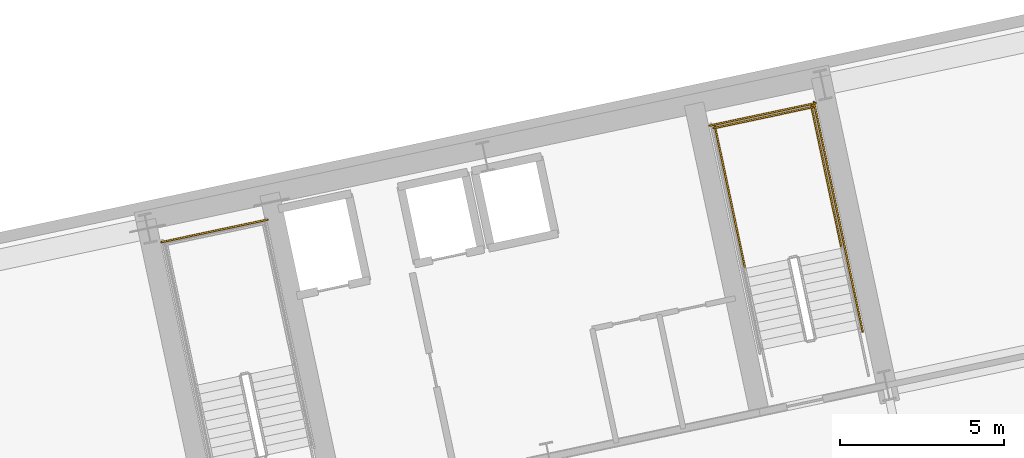
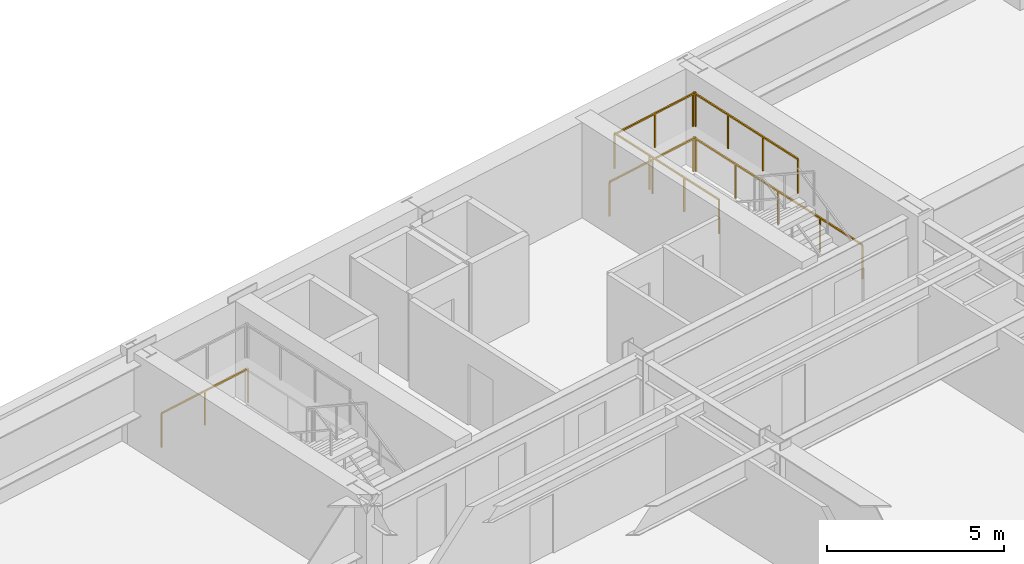
# One storey, part 18 of 18: 6 railings.
"""IFC4 building model written with IfcOpenShell, lengths in metres."""

from ifc_helpers import new_model, si_unit, direction, frame, origin, origin_2d, place, context, subcontext, project, spatial, rectangle, extrude, material, type_object, element, save


model = new_model("IFC4")

# Units and contexts
model_context = context("Model", 3, precision=1e-05, world=origin(), true_north=direction((0.0, 1.0)))
body_context = subcontext(model_context, "Body", "Model", "MODEL_VIEW")
ifc_project = project(units=[si_unit("LENGTHUNIT", "METRE"), si_unit("AREAUNIT", "SQUARE_METRE"), si_unit("VOLUMEUNIT", "CUBIC_METRE"), si_unit("PLANEANGLEUNIT", "RADIAN"), si_unit("MASSUNIT", "GRAM", prefix="KILO")], contexts=[model_context])

# Site, building, storey
site_placement = place(None, origin())
site = spatial("IfcSite", under=ifc_project, at=site_placement, CompositionType="ELEMENT")
building_placement = place(site_placement, origin())
building = spatial("IfcBuilding", under=site, at=building_placement, Name="Haevon Station Towers", CompositionType="ELEMENT")
storey_placement = place(building_placement, frame((0.0, 0.0, 66.89990234375)))
storey = spatial("IfcBuildingStorey", under=building, at=storey_placement, Name="L17", CompositionType="ELEMENT", Elevation=66.89990234375)

# Railings
ifc_material = material(Name="Steel S355", Category="steel")
railing_type = type_object("IfcRailingType", Name="GRD-STR1200", PredefinedType="GUARDRAIL", material=ifc_material)
railing_1_placement = place(storey_placement, frame((100.453125, 46.8515625, 0.0)))
element("IfcRailing", 1, at=railing_1_placement, inside=storey, type_object=railing_type, Name="L17 ST3 Stair Guard 12", PredefinedType="GUARDRAIL", context=body_context, shape_type="SweptSolid", body=[
    extrude(rectangle(XDim=0.048095703125, YDim=0.048095703125, at=origin_2d()), frame((0.0, 0.0, 1.17578125), z_axis=(-0.978150764849, -0.207896804268, 0.0), x_axis=(0.207896804268, -0.978150764849, 0.0)), (0.0, 0.0, 1.0), 3.2998046875),
    extrude(rectangle(XDim=0.0419921875, YDim=0.0419921875, at=origin_2d()), origin(), (0.0, 0.0, 1.0), 1.15185546875),
    extrude(rectangle(XDim=0.0419921875, YDim=0.0419921875, at=origin_2d()), frame((-1.61376953125, -0.343017578125, 0.0)), (0.0, 0.0, 1.0), 1.15185546875),
    extrude(rectangle(XDim=0.0419921875, YDim=0.0419921875, at=origin_2d()), frame((-3.227783203125, -0.68603515625, 0.0)), (0.0, 0.0, 1.0), 1.15185546875),
])
railing_2_placement = place(storey_placement, frame((117.925048828125, 45.9853515625, 1.650146484375)))
element("IfcRailing", 2, at=railing_2_placement, inside=storey, type_object=railing_type, Name="L17 ST4 Stair Guard 3", PredefinedType="GUARDRAIL", context=body_context, shape_type="SweptSolid", body=[
    extrude(rectangle(XDim=0.048095703125, YDim=0.048095703125, at=origin_2d()), frame((0.0, 0.0, 1.17578125), z_axis=(-0.207876551949, 0.978155069071, 0.0), x_axis=(-0.978155069071, -0.207876551949, 0.0)), (0.0, 0.0, 1.0), 4.429931640625),
    extrude(rectangle(XDim=0.0419921875, YDim=0.0419921875, at=origin_2d()), origin(), (0.0, 0.0, 1.0), 1.15185546875),
    extrude(rectangle(XDim=0.0419921875, YDim=0.0419921875, at=origin_2d()), frame((-0.306884765625, 1.4443359375, 0.0)), (0.0, 0.0, 1.0), 1.15185546875),
    extrude(rectangle(XDim=0.0419921875, YDim=0.0419921875, at=origin_2d()), frame((-0.614013671875, 2.888916015625, 0.0)), (0.0, 0.0, 1.0), 1.15185546875),
    extrude(rectangle(XDim=0.0419921875, YDim=0.0419921875, at=origin_2d()), frame((-0.9208984375, 4.333251953125, 0.0)), (0.0, 0.0, 1.0), 1.15185546875),
])
railing_3_placement = place(storey_placement, frame((114.99072265625, 45.361572265625, 1.650146484375)))
element("IfcRailing", 3, at=railing_3_placement, inside=storey, type_object=railing_type, Name="L17 ST4 Stair Guard 4", PredefinedType="GUARDRAIL", context=body_context, shape_type="SweptSolid", body=[
    extrude(rectangle(XDim=0.048095703125, YDim=0.048095703125, at=origin_2d()), frame((0.0, 0.0, 1.17578125), z_axis=(-0.207929280007, 0.978143861871, 0.0), x_axis=(-0.978143861871, -0.207929280007, 0.0)), (0.0, 0.0, 1.0), 4.43017578125),
    extrude(rectangle(XDim=0.0419921875, YDim=0.0419921875, at=origin_2d()), origin(), (0.0, 0.0, 1.0), 1.15185546875),
    extrude(rectangle(XDim=0.0419921875, YDim=0.0419921875, at=origin_2d()), frame((-0.30712890625, 1.4443359375, 0.0)), (0.0, 0.0, 1.0), 1.15185546875),
    extrude(rectangle(XDim=0.0419921875, YDim=0.0419921875, at=origin_2d()), frame((-0.614013671875, 2.888916015625, 0.0)), (0.0, 0.0, 1.0), 1.15185546875),
    extrude(rectangle(XDim=0.0419921875, YDim=0.0419921875, at=origin_2d()), frame((-0.921142578125, 4.333251953125, 0.0)), (0.0, 0.0, 1.0), 1.15185546875),
])
railing_4_placement = place(storey_placement, frame((117.0634765625, 50.280029296875, 1.650146484375)))
element("IfcRailing", 4, at=railing_4_placement, inside=storey, type_object=railing_type, Name="L17 ST4 Stair Guard 5", PredefinedType="GUARDRAIL", context=body_context, shape_type="SweptSolid", body=[
    extrude(rectangle(XDim=0.048095703125, YDim=0.048095703125, at=origin_2d()), frame((0.0, 0.0, 1.17578125), z_axis=(-0.978146839882, -0.207915270313, 0.0), x_axis=(0.207915270313, -0.978146839882, 0.0)), (0.0, 0.0, 1.0), 3.099853515625),
    extrude(rectangle(XDim=0.0419921875, YDim=0.0419921875, at=origin_2d()), origin(), (0.0, 0.0, 1.0), 1.15185546875),
    extrude(rectangle(XDim=0.0419921875, YDim=0.0419921875, at=origin_2d()), frame((-1.51611328125, -0.322265625, 0.0)), (0.0, 0.0, 1.0), 1.15185546875),
    extrude(rectangle(XDim=0.0419921875, YDim=0.0419921875, at=origin_2d()), frame((-3.0322265625, -0.64453125, 0.0)), (0.0, 0.0, 1.0), 1.15185546875),
])
railing_5_placement = place(storey_placement, frame((118.567626953125, 43.443359375, 0.0)))
element("IfcRailing", 5, at=railing_5_placement, inside=storey, type_object=railing_type, Name="L17 ST4 Stair Guard 10", PredefinedType="GUARDRAIL", context=body_context, shape_type="SweptSolid", body=[
    extrude(rectangle(XDim=0.048095703125, YDim=0.048095703125, at=origin_2d()), frame((0.0, 0.0, 1.17578125), z_axis=(-0.207908168386, 0.978148349443, 0.0), x_axis=(-0.978148349443, -0.207908168386, 0.0)), (0.0, 0.0, 1.0), 7.150146484375),
    extrude(rectangle(XDim=0.0419921875, YDim=0.0419921875, at=origin_2d()), origin(), (0.0, 0.0, 1.0), 1.15185546875),
    extrude(rectangle(XDim=0.0419921875, YDim=0.0419921875, at=origin_2d()), frame((-0.37158203125, 1.74853515625, 0.0)), (0.0, 0.0, 1.0), 1.15185546875),
    extrude(rectangle(XDim=0.0419921875, YDim=0.0419921875, at=origin_2d()), frame((-0.7431640625, 3.4970703125, 0.0)), (0.0, 0.0, 1.0), 1.15185546875),
    extrude(rectangle(XDim=0.0419921875, YDim=0.0419921875, at=origin_2d()), frame((-1.114990234375, 5.245361328125, 0.0)), (0.0, 0.0, 1.0), 1.15185546875),
    extrude(rectangle(XDim=0.0419921875, YDim=0.0419921875, at=origin_2d()), frame((-1.486572265625, 6.993896484375, 0.0)), (0.0, 0.0, 1.0), 1.15185546875),
])
railing_6_placement = place(storey_placement, frame((117.140380859375, 50.398681640625, 0.0)))
element("IfcRailing", 6, at=railing_6_placement, inside=storey, type_object=railing_type, Name="L17 ST4 Stair Guard 12", PredefinedType="GUARDRAIL", context=body_context, shape_type="SweptSolid", body=[
    extrude(rectangle(XDim=0.048095703125, YDim=0.048095703125, at=origin_2d()), frame((0.0, 0.0, 1.17578125), z_axis=(-0.978135717418, -0.207967589567, 0.0), x_axis=(0.207967589567, -0.978135717418, 0.0)), (0.0, 0.0, 1.0), 3.300048828125),
    extrude(rectangle(XDim=0.0419921875, YDim=0.0419921875, at=origin_2d()), origin(), (0.0, 0.0, 1.0), 1.15185546875),
    extrude(rectangle(XDim=0.0419921875, YDim=0.0419921875, at=origin_2d()), frame((-1.61376953125, -0.34326171875, 0.0)), (0.0, 0.0, 1.0), 1.15185546875),
    extrude(rectangle(XDim=0.0419921875, YDim=0.0419921875, at=origin_2d()), frame((-3.227783203125, -0.686279296875, 0.0)), (0.0, 0.0, 1.0), 1.15185546875),
])

save(model, "model.ifc")
